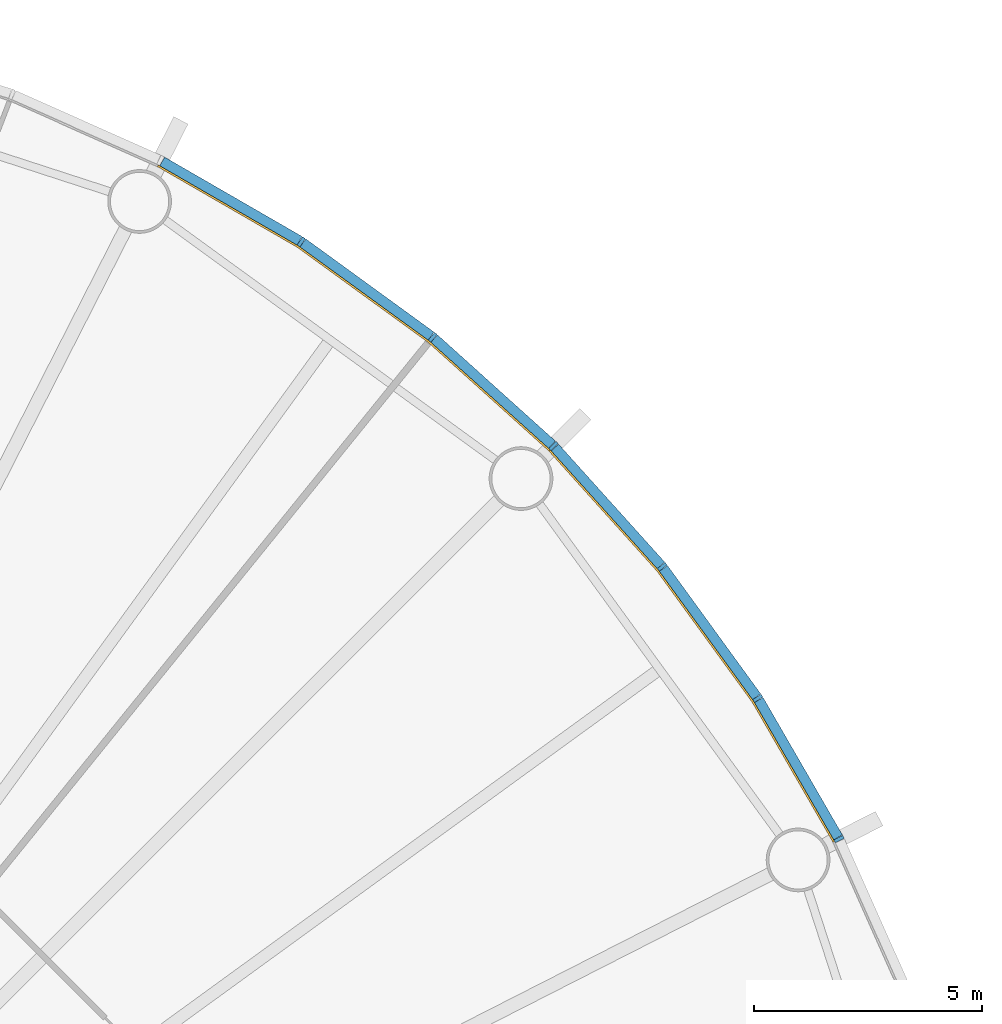
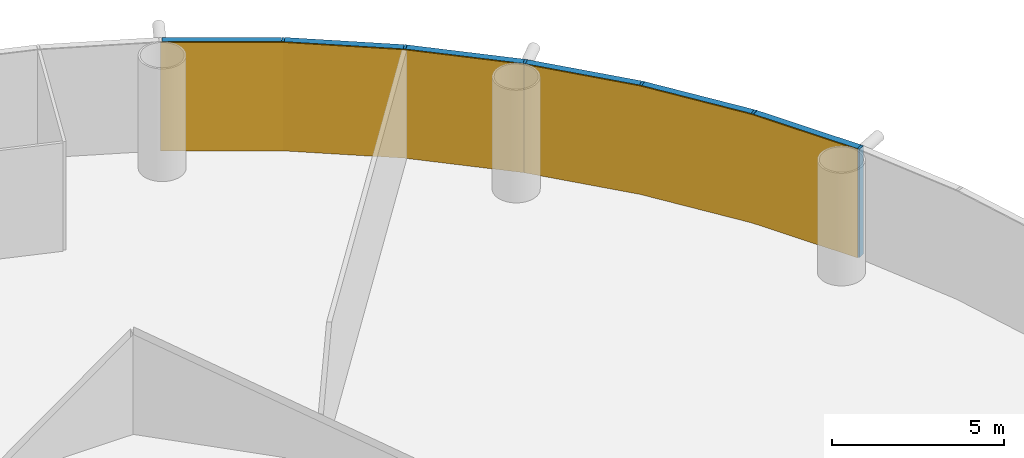
# One storey, part 10 of 13: 12 members, 2 curtain walls.
"""IFC4 building model written with IfcOpenShell, lengths in metres."""

import ifcopenshell
import ifcopenshell.guid

model = None  # the IFC model being written
_history = None  # IfcOwnerHistory: only IFC2X3 demands one
_inside = {}  # id of a spatial element -> (the spatial element, [elements in it])
_under = {}  # id of a project, library or spatial element -> (it, [spatial elements below it])
_declared = {}  # id of a project -> (the project, [libraries it declares])
_typed = {}  # id of a type object -> (the type object, [elements of that type])
_made_of = {}  # id of a material, layer set ... -> (it, [elements and type objects made of it])


def new_model(schema):
    """Start an empty IFC model of exactly this schema.

    Asked for "IFC4X3", IfcOpenShell would pick the latest addendum, in which some entities
    have other attributes; the version numbers below select the first issue.
    IFC2X3 requires an IfcOwnerHistory on every rooted entity: one is made here for all.
    """
    global model, _history
    if schema == "IFC4X3":
        model = ifcopenshell.file(schema_version=(4, 3, 0, 0))
    else:
        model = ifcopenshell.file(schema=schema)
    _inside.clear()
    _under.clear()
    _declared.clear()
    _typed.clear()
    _made_of.clear()
    _history = None
    if model.schema == "IFC2X3":
        org = make("IfcOrganization", Name="unknown")
        user = make(
            "IfcPersonAndOrganization",
            ThePerson=make("IfcPerson", FamilyName="unknown"),
            TheOrganization=org,
        )
        app = make(
            "IfcApplication",
            ApplicationDeveloper=org,
            Version="unknown",
            ApplicationFullName="unknown",
            ApplicationIdentifier="unknown",
        )
        _history = make(
            "IfcOwnerHistory",
            OwningUser=user,
            OwningApplication=app,
            ChangeAction="ADDED",
            CreationDate=0,
        )
    return model


def make(cls, **values):
    """One entity of the class cls with the attributes given. An attribute that is None is left unset."""
    return model.create_entity(
        cls, **{name: value for name, value in values.items() if value is not None}
    )


def rooted(cls, **values):
    """An entity with a GlobalId (a new one), such as an element, a storey or a relation."""
    return make(cls, GlobalId=ifcopenshell.guid.new(), OwnerHistory=_history, **values)


def si_unit(unit_type, name, prefix=None):
    """IfcSIUnit, for example si_unit("LENGTHUNIT", "METRE", prefix="MILLI")."""
    return make("IfcSIUnit", UnitType=unit_type, Prefix=prefix, Name=name)


def assignment(units):
    """IfcUnitAssignment: the units of a project."""
    return None if units is None else make("IfcUnitAssignment", Units=units)


def point(xyz):
    """IfcCartesianPoint."""
    return None if xyz is None else make("IfcCartesianPoint", Coordinates=xyz)


def direction(xyz):
    """IfcDirection."""
    return None if xyz is None else make("IfcDirection", DirectionRatios=xyz)


def frame(location, z_axis=None, x_axis=None):
    """IfcAxis2Placement3D, a coordinate frame: its origin and axes. An axis left out is left unset."""
    return make(
        "IfcAxis2Placement3D",
        Location=point(location),
        Axis=direction(z_axis),
        RefDirection=direction(x_axis),
    )


def frame_2d(location, x_axis=None):
    """IfcAxis2Placement2D, a coordinate frame in the plane: its origin and x axis."""
    return make(
        "IfcAxis2Placement2D", Location=point(location), RefDirection=direction(x_axis)
    )


def origin():
    """The frame at (0, 0, 0) with its axes left unset."""
    return frame((0.0, 0.0, 0.0))


def origin_2d():
    """The frame at (0, 0) in the plane with its x axis left unset."""
    return frame_2d((0.0, 0.0))


def place(relative_to, where):
    """IfcLocalPlacement: puts the frame where relative to a parent placement (None: the world)."""
    return make(
        "IfcLocalPlacement", PlacementRelTo=relative_to, RelativePlacement=where
    )


def context(
    kind, dimensions, precision=None, world=None, true_north=None, identifier=None
):
    """IfcGeometricRepresentationContext, for example the 3D "Model" context."""
    return make(
        "IfcGeometricRepresentationContext",
        ContextIdentifier=identifier,
        ContextType=kind,
        CoordinateSpaceDimension=dimensions,
        Precision=precision,
        WorldCoordinateSystem=world,
        TrueNorth=true_north,
    )


def subcontext(parent, identifier, kind, view, scale=None):
    """IfcGeometricRepresentationSubContext, for example "Body" below "Model"."""
    return make(
        "IfcGeometricRepresentationSubContext",
        ContextIdentifier=identifier,
        ContextType=kind,
        ParentContext=parent,
        TargetScale=scale,
        TargetView=view,
    )


def project(units=None, contexts=None):
    """IfcProject with its units and contexts."""
    return rooted(
        "IfcProject",
        Name="project",
        RepresentationContexts=contexts,
        UnitsInContext=assignment(units),
    )


def spatial(cls, under=None, at=None, **own):
    """A site, building, storey or space (cls), placed at a placement, below another one or the project."""
    s = rooted(cls, ObjectPlacement=at, **own)
    if under is not None:
        _under.setdefault(under.id(), (under, []))[1].append(s)
    return s


def polyline(points):
    """IfcPolyline through the points."""
    return make("IfcPolyline", Points=[point(p) for p in points])


def profile(cls, at=None, kind="AREA", **sizes):
    """A parametric profile (cls). Its sizes go by their IFC names, for example OverallWidth=200.0."""
    return make(cls, ProfileType=kind, Position=at, **sizes)


def rectangle(**sizes):
    """IfcRectangleProfileDef."""
    return profile("IfcRectangleProfileDef", **sizes)


def outline(outer, holes=None, kind="AREA"):
    """IfcArbitraryClosedProfileDef: a profile drawn as a closed curve; with holes, ...WithVoids."""
    if holes is None:
        return make("IfcArbitraryClosedProfileDef", ProfileType=kind, OuterCurve=outer)
    return make(
        "IfcArbitraryProfileDefWithVoids",
        ProfileType=kind,
        OuterCurve=outer,
        InnerCurves=holes,
    )


def extrude(swept, where, along, depth):
    """IfcExtrudedAreaSolid: the profile swept, set in the frame where, extruded along a direction by depth."""
    return make(
        "IfcExtrudedAreaSolid",
        SweptArea=swept,
        Position=where,
        ExtrudedDirection=direction(along),
        Depth=depth,
    )


def shape(context_of_items, identifier, shape_type, items):
    """IfcShapeRepresentation: the items that make up one representation, for example the "Body"."""
    return make(
        "IfcShapeRepresentation",
        ContextOfItems=context_of_items,
        RepresentationIdentifier=identifier,
        RepresentationType=shape_type,
        Items=items,
    )


def material(Name=None, Category=None):
    """IfcMaterial."""
    return make("IfcMaterial", Name=Name, Category=Category)


def layer(
    of_material, thickness, ventilated=None, Name=None, Category=None, Priority=None
):
    """IfcMaterialLayer: one layer of a wall or slab, of a material (None: an air gap)."""
    return make(
        "IfcMaterialLayer",
        Material=of_material,
        LayerThickness=thickness,
        IsVentilated=ventilated,
        Name=Name,
        Category=Category,
        Priority=Priority,
    )


def layer_set(layers, Name=None):
    """IfcMaterialLayerSet."""
    return make("IfcMaterialLayerSet", MaterialLayers=layers, LayerSetName=Name)


def material_profile(
    of_material, cross_section, Name=None, Category=None, Priority=None
):
    """IfcMaterialProfile: a cross section and its material."""
    return make(
        "IfcMaterialProfile",
        Name=Name,
        Material=of_material,
        Profile=cross_section,
        Priority=Priority,
        Category=Category,
    )


def profile_set(profiles, Name=None, composite=None):
    """IfcMaterialProfileSet."""
    return make(
        "IfcMaterialProfileSet",
        Name=Name,
        MaterialProfiles=profiles,
        CompositeProfile=composite,
    )


def made_of(thing, what):
    """Note that an element or type object is made of a material, layer set ...; save() writes the relation."""
    if what is not None:
        _made_of.setdefault(what.id(), (what, []))[1].append(thing)
    return thing


def type_object(cls, material=None, **own):
    """A type object (cls), such as IfcWallType, which elements share."""
    return made_of(rooted(cls, **own), material)


def element(
    cls,
    number,
    at=None,
    inside=None,
    cuts=None,
    type_object=None,
    material=None,
    context=None,
    identifier="Body",
    shape_type=None,
    held_by="IfcProductDefinitionShape",
    body=None,
    shapes=None,
    **own,
):
    """One element of the class cls, such as IfcWall. Its Tag is "e" and its number.

    at: its placement. inside: the storey or other place that contains it. cuts: it is an
    opening in that element (IfcRelVoidsElement). A single representation is given by context,
    identifier, shape_type and body (its items); several are given by shapes. held_by: the class
    of the entity that holds the representations. save() writes the other relations.
    """
    e = rooted(cls, Tag="e%d" % number, ObjectPlacement=at, **own)
    if body is not None:
        shapes = [shape(context, identifier, shape_type, body)]
    if shapes is not None:
        e.Representation = make(held_by, Representations=shapes)
    if inside is not None:
        _inside.setdefault(inside.id(), (inside, []))[1].append(e)
    if cuts is not None:
        rooted(
            "IfcRelVoidsElement", RelatingBuildingElement=cuts, RelatedOpeningElement=e
        )
    if type_object is not None:
        _typed.setdefault(type_object.id(), (type_object, []))[1].append(e)
    return made_of(e, material)


def aggregate(whole, parts):
    """IfcRelAggregates: a whole, such as a stair, and the parts it consists of."""
    return rooted("IfcRelAggregates", RelatingObject=whole, RelatedObjects=parts)


def save(model, path):
    """Write the relations noted so far, then the file.

    IfcRelAggregates (storeys below a building ...), IfcRelContainedInSpatialStructure (elements
    in a storey), IfcRelDefinesByType, IfcRelAssociatesMaterial and IfcRelDeclares: one each for
    every whole, place, type object, material and project.
    """
    for whole, parts in _under.values():
        aggregate(whole, parts)
    for where, things in _inside.values():
        rooted(
            "IfcRelContainedInSpatialStructure",
            RelatedElements=things,
            RelatingStructure=where,
        )
    for kind, things in _typed.values():
        rooted("IfcRelDefinesByType", RelatedObjects=things, RelatingType=kind)
    for what, things in _made_of.values():
        rooted("IfcRelAssociatesMaterial", RelatedObjects=things, RelatingMaterial=what)
    for by, libraries in _declared.values():
        rooted("IfcRelDeclares", RelatingContext=by, RelatedDefinitions=libraries)
    model.write(path)


model = new_model("IFC4")

# Units and contexts
model_context = context("Model", 3, precision=1e-05, world=origin(), true_north=direction((0.0, 1.0)))
body_context = subcontext(model_context, "Body", "Model", "MODEL_VIEW")
ifc_project = project(units=[si_unit("LENGTHUNIT", "METRE"), si_unit("AREAUNIT", "SQUARE_METRE"), si_unit("VOLUMEUNIT", "CUBIC_METRE"), si_unit("PLANEANGLEUNIT", "RADIAN"), si_unit("MASSUNIT", "GRAM", prefix="KILO")], contexts=[model_context])

# Member
ifc_material_1 = material(Name="Anodised aluminium", Category="aluminium")
ifc_material_profile_1 = material_profile(ifc_material_1, rectangle(XDim=0.074951171875, YDim=0.219970703125, at=origin_2d()), Name="Mullion 75 x 220 mm anodised aluminium")
ifc_profile_set_1 = profile_set([ifc_material_profile_1], Name="Anodised aluminium")
member_type_1 = type_object("IfcMemberType", Name="Mullion 75 x 220 mm anodised aluminium", PredefinedType="MULLION", material=ifc_profile_set_1)
site_placement = place(None, origin())
building_placement = place(site_placement, origin())
storey_placement = place(building_placement, frame((0.0, 0.0, 50.0)))
member_1_placement = place(storey_placement, frame((120.392333984375, 95.485595703125, 0.0), z_axis=(0.0, 0.0, 1.0), x_axis=(-0.45399049974, 0.891006524188, 0.0)))
member_1 = element("IfcMember", 1, at=member_1_placement, type_object=member_type_1, Name="MULLION L10-03", PredefinedType="MULLION", context=body_context, shape_type="SweptSolid", body=[
    extrude(rectangle(XDim=0.074951171875, YDim=0.219970703125, at=origin_2d()), origin(), (0.0, 0.0, 1.0), 3.85009765625),
])

member_2_placement = place(storey_placement, frame((118.60693359375, 98.57763671875, 0.0), z_axis=(0.0, 0.0, 1.0), x_axis=(-0.544639035015, 0.838670567945, 0.0)))
member_2 = element("IfcMember", 2, at=member_2_placement, type_object=member_type_1, Name="MULLION L10-04", PredefinedType="MULLION", context=body_context, shape_type="SweptSolid", body=[
    extrude(rectangle(XDim=0.074951171875, YDim=0.219970703125, at=origin_2d()), origin(), (0.0, 0.0, 1.0), 3.85009765625),
])

member_3_placement = place(storey_placement, frame((116.508544921875, 101.466064453125, 0.0), z_axis=(0.0, 0.0, 1.0), x_axis=(-0.62932039105, 0.777145961457, 0.0)))
member_3 = element("IfcMember", 3, at=member_3_placement, type_object=member_type_1, Name="MULLION L10-05", PredefinedType="MULLION", context=body_context, shape_type="SweptSolid", body=[
    extrude(rectangle(XDim=0.074951171875, YDim=0.219970703125, at=origin_2d()), origin(), (0.0, 0.0, 1.0), 3.85009765625),
])

member_4_placement = place(storey_placement, frame((114.119384765625, 104.119384765625, 0.0), z_axis=(0.0, 0.0, 1.0), x_axis=(-0.707106781187, 0.707106781187, 0.0)))
member_4 = element("IfcMember", 4, at=member_4_placement, type_object=member_type_1, Name="MULLION L10-06", PredefinedType="MULLION", context=body_context, shape_type="SweptSolid", body=[
    extrude(rectangle(XDim=0.074951171875, YDim=0.219970703125, at=origin_2d()), origin(), (0.0, 0.0, 1.0), 3.85009765625),
])

member_5_placement = place(storey_placement, frame((111.466064453125, 106.508544921875, 0.0), z_axis=(0.0, 0.0, 1.0), x_axis=(-0.777145961457, 0.62932039105, 0.0)))
member_5 = element("IfcMember", 5, at=member_5_placement, type_object=member_type_1, Name="MULLION L10-07", PredefinedType="MULLION", context=body_context, shape_type="SweptSolid", body=[
    extrude(rectangle(XDim=0.074951171875, YDim=0.219970703125, at=origin_2d()), origin(), (0.0, 0.0, 1.0), 3.85009765625),
])

member_6_placement = place(storey_placement, frame((108.57763671875, 108.60693359375, 0.0), z_axis=(0.0, 0.0, 1.0), x_axis=(-0.838670567945, 0.544639035015, 0.0)))
member_6 = element("IfcMember", 6, at=member_6_placement, type_object=member_type_1, Name="MULLION L10-08", PredefinedType="MULLION", context=body_context, shape_type="SweptSolid", body=[
    extrude(rectangle(XDim=0.074951171875, YDim=0.219970703125, at=origin_2d()), origin(), (0.0, 0.0, 1.0), 3.85009765625),
])

ifc_material_2 = material(Name="Anodised aluminium", Category="aluminium")
ifc_material_profile_2 = material_profile(ifc_material_2, rectangle(XDim=0.219970703125, YDim=0.199951171875, at=origin_2d()), Name="Transom 200 x 220 mm anodised aluminium")
ifc_profile_set_2 = profile_set([ifc_material_profile_2], Name="Anodised aluminium")
member_type_2 = type_object("IfcMemberType", Name="Transom 200 x 220 mm anodised aluminium", PredefinedType="USERDEFINED", material=ifc_profile_set_2)
member_7_placement = place(storey_placement, frame((120.370849609375, 95.523193359375, 3.75), z_axis=(-0.500005538244, 0.866022206254, 0.0), x_axis=(-0.866022206254, -0.500005538244, 0.0)))
member_7 = element("IfcMember", 7, at=member_7_placement, type_object=member_type_2, Name="TRANSOM L10-03", ObjectType="TRANSOM", PredefinedType="USERDEFINED", context=body_context, shape_type="SweptSolid", body=[
    extrude(rectangle(XDim=0.219970703125, YDim=0.199951171875, at=origin_2d()), origin(), (0.0, 0.0, 1.0), 3.48388671875),
])

member_8_placement = place(storey_placement, frame((118.581787109375, 98.61279296875, 3.75), z_axis=(-0.587821627006, 0.80899056535, 0.0), x_axis=(-0.80899056535, -0.587821627006, 0.0)))
member_8 = element("IfcMember", 8, at=member_8_placement, type_object=member_type_2, Name="TRANSOM L10-04", ObjectType="TRANSOM", PredefinedType="USERDEFINED", context=body_context, shape_type="SweptSolid", body=[
    extrude(rectangle(XDim=0.219970703125, YDim=0.199951171875, at=origin_2d()), origin(), (0.0, 0.0, 1.0), 3.48388671875),
])

member_9_placement = place(storey_placement, frame((116.479736328125, 101.498291015625, 3.75), z_axis=(-0.669138930974, 0.743137329876, 0.0), x_axis=(-0.743137329876, -0.669138930974, 0.0)))
member_9 = element("IfcMember", 9, at=member_9_placement, type_object=member_type_2, Name="TRANSOM L10-05", ObjectType="TRANSOM", PredefinedType="USERDEFINED", context=body_context, shape_type="SweptSolid", body=[
    extrude(rectangle(XDim=0.219970703125, YDim=0.199951171875, at=origin_2d()), origin(), (0.0, 0.0, 1.0), 3.484130859375),
])

member_10_placement = place(storey_placement, frame((114.08740234375, 104.1484375, 3.75), z_axis=(-0.743137329876, 0.669138930974, 0.0), x_axis=(-0.669138930974, -0.743137329876, 0.0)))
member_10 = element("IfcMember", 10, at=member_10_placement, type_object=member_type_2, Name="TRANSOM L10-06", ObjectType="TRANSOM", PredefinedType="USERDEFINED", context=body_context, shape_type="SweptSolid", body=[
    extrude(rectangle(XDim=0.219970703125, YDim=0.199951171875, at=origin_2d()), origin(), (0.0, 0.0, 1.0), 3.484130859375),
])

member_11_placement = place(storey_placement, frame((111.43115234375, 106.533935546875, 3.75), z_axis=(-0.80899056535, 0.587821627006, 0.0), x_axis=(-0.587821627006, -0.80899056535, 0.0)))
member_11 = element("IfcMember", 11, at=member_11_placement, type_object=member_type_2, Name="TRANSOM L10-07", ObjectType="TRANSOM", PredefinedType="USERDEFINED", context=body_context, shape_type="SweptSolid", body=[
    extrude(rectangle(XDim=0.219970703125, YDim=0.199951171875, at=origin_2d()), origin(), (0.0, 0.0, 1.0), 3.48388671875),
])

member_12_placement = place(storey_placement, frame((108.540283203125, 108.62890625, 3.75), z_axis=(-0.866022206254, 0.500005538244, 0.0), x_axis=(-0.500005538244, -0.866022206254, 0.0)))
member_12 = element("IfcMember", 12, at=member_12_placement, type_object=member_type_2, Name="TRANSOM L10-08", ObjectType="TRANSOM", PredefinedType="USERDEFINED", context=body_context, shape_type="SweptSolid", body=[
    extrude(rectangle(XDim=0.219970703125, YDim=0.199951171875, at=origin_2d()), origin(), (0.0, 0.0, 1.0), 3.48388671875),
])

# Site, building, storey
site = spatial("IfcSite", under=ifc_project, at=site_placement, CompositionType="ELEMENT")
building = spatial("IfcBuilding", under=site, at=building_placement, Name="Entoto Ring Tower", CompositionType="ELEMENT")
storey = spatial("IfcBuildingStorey", under=building, at=storey_placement, Name="L10", CompositionType="ELEMENT", Elevation=50.0)

# Curtain wall
ifc_material_3 = material(Name="Clear low-iron glass", Category="glass")
ifc_layer = layer(ifc_material_3, 0.0400390625)
ifc_layer_set = layer_set([ifc_layer], Name="Clear low-iron glass")
curtain_wall_type = type_object("IfcCurtainWallType", Name="Curtain wall system CW1 glazing 40 mm", PredefinedType="NOTDEFINED", material=ifc_layer_set)
curtain_wall_1_placement = place(storey_placement, origin())
curtain_wall_1 = element("IfcCurtainWall", 13, at=curtain_wall_1_placement, inside=storey, type_object=curtain_wall_type, Name="CW1 L10-02", PredefinedType="NOTDEFINED", context=body_context, shape_type="SweptSolid", body=[
    extrude(outline(polyline([(120.294189453125, 95.435791015625), (118.514892578125, 98.517822265625), (116.4228515625, 101.39697265625), (114.041748046875, 104.041748046875), (114.013427734375, 104.013427734375), (116.391845703125, 101.37158203125), (118.481201171875, 98.495849609375), (120.258544921875, 95.41748046875), (120.294189453125, 95.435791015625)])), origin(), (0.0, 0.0, 1.0), 3.85009765625),
])

aggregate(curtain_wall_1, [member_1, member_2, member_3, member_7, member_8, member_9])

curtain_wall_2_placement = place(storey_placement, origin())
curtain_wall_2 = element("IfcCurtainWall", 14, at=curtain_wall_2_placement, inside=storey, type_object=curtain_wall_type, Name="CW1 L10-03", PredefinedType="NOTDEFINED", context=body_context, shape_type="SweptSolid", body=[
    extrude(outline(polyline([(114.041748046875, 104.041748046875), (111.39697265625, 106.4228515625), (108.517822265625, 108.514892578125), (105.435791015625, 110.294189453125), (105.41748046875, 110.258544921875), (108.495849609375, 108.481201171875), (111.37158203125, 106.391845703125), (114.013427734375, 104.013427734375), (114.041748046875, 104.041748046875)])), origin(), (0.0, 0.0, 1.0), 3.85009765625),
])

aggregate(curtain_wall_2, [member_4, member_5, member_6, member_10, member_11, member_12])

save(model, "model.ifc")
